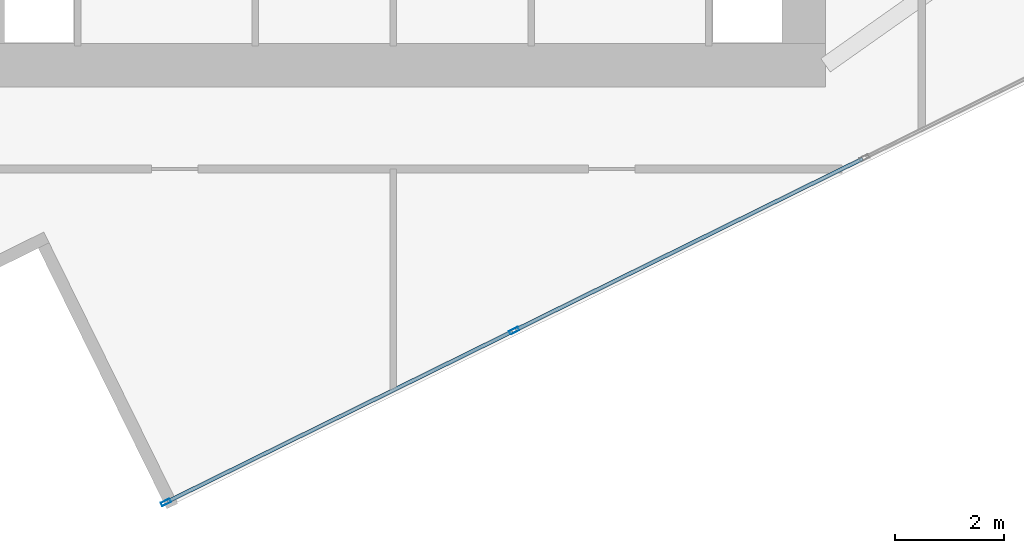
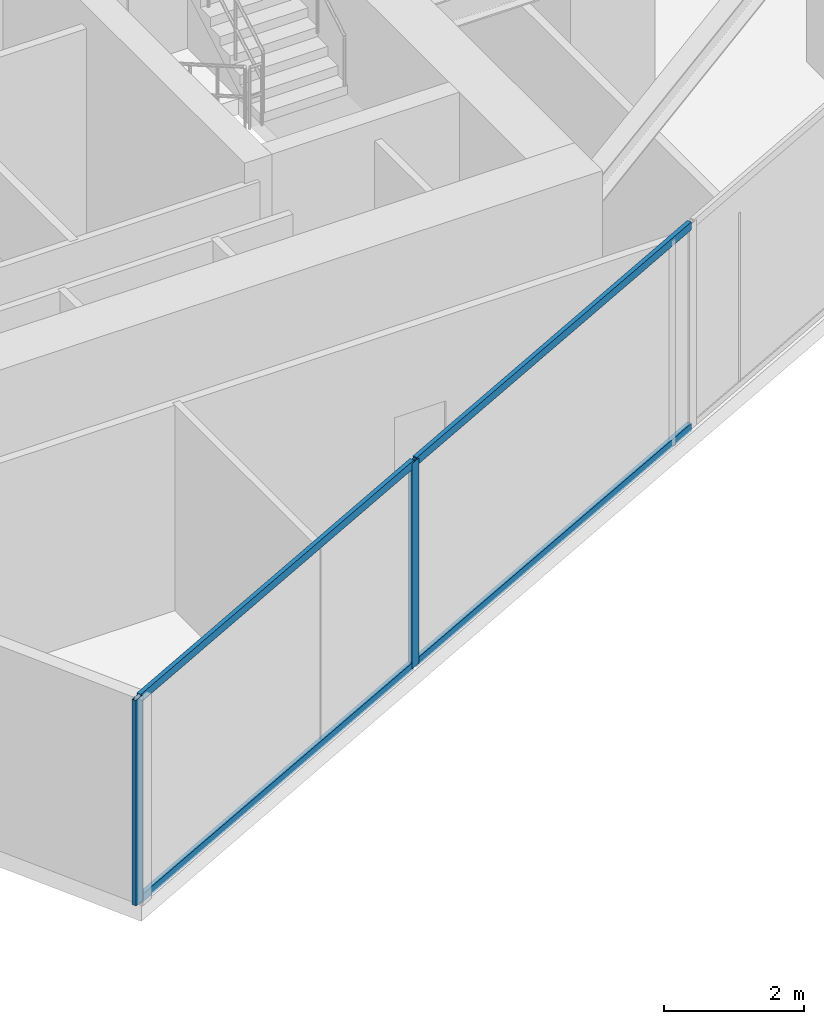
# One storey, part 3 of 22: 6 members, 1 element without a shape of its own.
"""IFC4 building model written with IfcOpenShell, lengths in metres."""

from ifc_helpers import new_model, si_unit, direction, frame, origin, origin_2d, place, context, subcontext, project, spatial, hollow_rectangle, extrude, source, transform, mapped, material, material_profile, profile_set, type_object, type_shapes, element, aggregate, save


model = new_model("IFC4")

# Units and contexts
model_context = context("Model", 3, precision=1e-05, world=origin(), true_north=direction((0.0, 1.0)))
body_context = subcontext(model_context, "Body", "Model", "MODEL_VIEW")
ifc_project = project(units=[si_unit("LENGTHUNIT", "METRE"), si_unit("AREAUNIT", "SQUARE_METRE"), si_unit("VOLUMEUNIT", "CUBIC_METRE"), si_unit("PLANEANGLEUNIT", "RADIAN"), si_unit("MASSUNIT", "GRAM", prefix="KILO")], contexts=[model_context])

# Site, building, storey
site_placement = place(None, origin())
site = spatial("IfcSite", under=ifc_project, at=site_placement, CompositionType="ELEMENT")
building_placement = place(site_placement, origin())
building = spatial("IfcBuilding", under=site, at=building_placement, Name="Krantzveldt Concourse Tower", CompositionType="ELEMENT")
storey_placement = place(building_placement, frame((0.0, 0.0, 314.800048828125)))
storey = spatial("IfcBuildingStorey", under=building, at=storey_placement, Name="L77", CompositionType="ELEMENT", Elevation=314.800048828125)

# Curtain wall, members
ifc_material = material(Name="Anodised aluminium 6063-T6", Category="aluminium")
curtain_wall_type = type_object("IfcCurtainWallType", Name="CW4", PredefinedType="USERDEFINED", material=ifc_material)
curtain_wall_placement = place(storey_placement, origin())
curtain_wall = element("IfcCurtainWall", 1, at=curtain_wall_placement, inside=storey, type_object=curtain_wall_type, Name="CW-L77-F07", ObjectType="UNITISED CURTAIN WALL", PredefinedType="USERDEFINED")
ifc_material_profile_1 = material_profile(ifc_material, hollow_rectangle(XDim=0.070068359375, YDim=0.179931640625, WallThickness=0.0048828125, at=origin_2d()), Name="Anodised aluminium 6063-T6", Category="aluminium")
ifc_profile_set_1 = profile_set([ifc_material_profile_1], Name="Anodised aluminium 6063-T6 - ALU-MULL 180x70x5")
member_type_1 = type_object("IfcMemberType", Name="CW-MUL-180", PredefinedType="MULLION", material=ifc_profile_set_1)
shared_shape_1 = source(origin(), body_context, "Body", "SweptSolid", [
    extrude(hollow_rectangle(XDim=0.070068359375, YDim=0.179931640625, WallThickness=0.0048828125, at=origin_2d()), origin(), (0.0, 0.0, 1.0), 3.58984375),
])
type_shapes(member_type_1, [shared_shape_1])
member_1_placement = place(storey_placement, frame((31.835205078125, 2.892822265625, 0.0), z_axis=(0.0, 0.0, 1.0), x_axis=(-0.442288511927, 0.896872829457, 0.0)))
member_1 = element("IfcMember", 2, at=member_1_placement, type_object=member_type_1, Name="CW-Z56 mullion 1", PredefinedType="MULLION", context=body_context, shape_type="MappedRepresentation", body=[
    mapped(shared_shape_1, transform((0.0, 0.0, 0.0), x_axis=(1.0, 0.0, 0.0), y_axis=(0.0, 1.0, 0.0), z_axis=(0.0, 0.0, 1.0), scale=1.0)),
])
member_2_placement = place(storey_placement, frame((38.21630859375, 6.03955078125, 0.0), z_axis=(0.0, 0.0, 1.0), x_axis=(-0.442288511927, 0.896872829457, 0.0)))
member_2 = element("IfcMember", 3, at=member_2_placement, type_object=member_type_1, Name="CW-Z56 mullion 2", PredefinedType="MULLION", context=body_context, shape_type="MappedRepresentation", body=[
    mapped(shared_shape_1, transform((0.0, 0.0, 0.0), x_axis=(1.0, 0.0, 0.0), y_axis=(0.0, 1.0, 0.0), z_axis=(0.0, 0.0, 1.0), scale=1.0)),
])
ifc_material_profile_2 = material_profile(ifc_material, hollow_rectangle(XDim=0.070068359375, YDim=0.139892578125, WallThickness=0.0048828125, at=origin_2d()), Name="Anodised aluminium 6063-T6", Category="aluminium")
ifc_profile_set_2 = profile_set([ifc_material_profile_2], Name="Anodised aluminium 6063-T6 - ALU-TRAN 140x70x5")
member_type_2 = type_object("IfcMemberType", Name="CW-TRN-150", PredefinedType="USERDEFINED", material=ifc_profile_set_2)
shared_shape_2 = source(origin(), body_context, "Body", "SweptSolid", [
    extrude(hollow_rectangle(XDim=0.070068359375, YDim=0.139892578125, WallThickness=0.0048828125, at=origin_2d()), origin(), (0.0, 0.0, 1.0), 7.080078125),
])
member_3_placement = place(storey_placement, frame((38.247802734375, 6.05517578125, 0.034912109375), z_axis=(0.896875742426, 0.442282604958, 0.0), x_axis=(-0.442282604958, 0.896875742426, 0.0)))
member_3 = element("IfcMember", 4, at=member_3_placement, type_object=member_type_2, Name="CW-Z56 transom 2.1", ObjectType="TRANSOM", PredefinedType="USERDEFINED", context=body_context, shape_type="MappedRepresentation", body=[
    mapped(shared_shape_2, transform((0.0, 0.0, 0.0), x_axis=(1.0, 0.0, 0.0), y_axis=(0.0, 1.0, 0.0), z_axis=(0.0, 0.0, 1.0), scale=1.0)),
])
member_4_placement = place(storey_placement, frame((38.247802734375, 6.05517578125, 3.554931640625), z_axis=(0.896875742426, 0.442282604958, 0.0), x_axis=(-0.442282604958, 0.896875742426, 0.0)))
member_4 = element("IfcMember", 5, at=member_4_placement, type_object=member_type_2, Name="CW-Z56 transom 2.2", ObjectType="TRANSOM", PredefinedType="USERDEFINED", context=body_context, shape_type="MappedRepresentation", body=[
    mapped(shared_shape_2, transform((0.0, 0.0, 0.0), x_axis=(1.0, 0.0, 0.0), y_axis=(0.0, 1.0, 0.0), z_axis=(0.0, 0.0, 1.0), scale=1.0)),
])
shared_shape_3 = source(origin(), body_context, "Body", "SweptSolid", [
    extrude(hollow_rectangle(XDim=0.070068359375, YDim=0.139892578125, WallThickness=0.0048828125, at=origin_2d()), origin(), (0.0, 0.0, 1.0), 7.045166015625),
])
type_shapes(member_type_2, [shared_shape_2, shared_shape_3])
member_5_placement = place(storey_placement, frame((31.866455078125, 2.908203125, 0.034912109375), z_axis=(0.896874071777, 0.44228599274, 0.0), x_axis=(-0.44228599274, 0.896874071777, 0.0)))
member_5 = element("IfcMember", 6, at=member_5_placement, type_object=member_type_2, Name="CW-Z56 transom 1.1", ObjectType="TRANSOM", PredefinedType="USERDEFINED", context=body_context, shape_type="MappedRepresentation", body=[
    mapped(shared_shape_3, transform((0.0, 0.0, 0.0), x_axis=(1.0, 0.0, 0.0), y_axis=(0.0, 1.0, 0.0), z_axis=(0.0, 0.0, 1.0), scale=1.0)),
])
member_6_placement = place(storey_placement, frame((31.866455078125, 2.908203125, 3.554931640625), z_axis=(0.896874071777, 0.44228599274, 0.0), x_axis=(-0.44228599274, 0.896874071777, 0.0)))
member_6 = element("IfcMember", 7, at=member_6_placement, type_object=member_type_2, Name="CW-Z56 transom 1.2", ObjectType="TRANSOM", PredefinedType="USERDEFINED", context=body_context, shape_type="MappedRepresentation", body=[
    mapped(shared_shape_3, transform((0.0, 0.0, 0.0), x_axis=(1.0, 0.0, 0.0), y_axis=(0.0, 1.0, 0.0), z_axis=(0.0, 0.0, 1.0), scale=1.0)),
])
aggregate(curtain_wall, [member_1, member_2, member_5, member_6, member_3, member_4])

save(model, "model.ifc")
